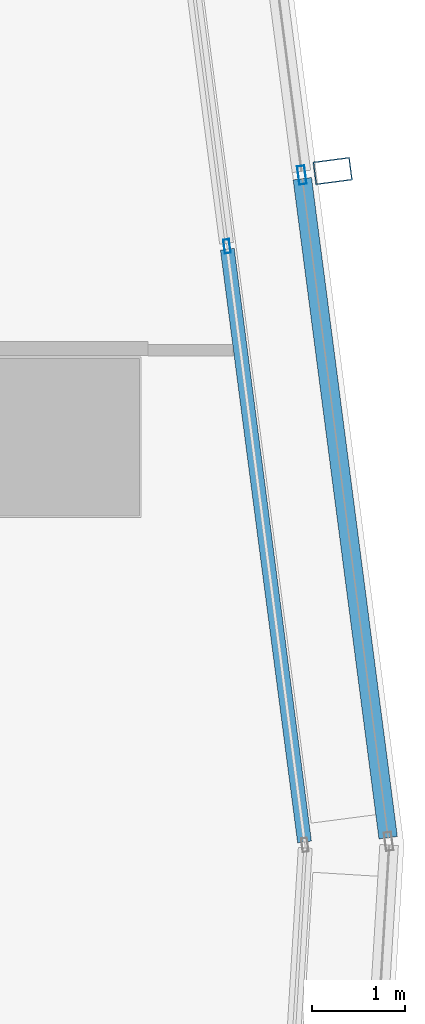
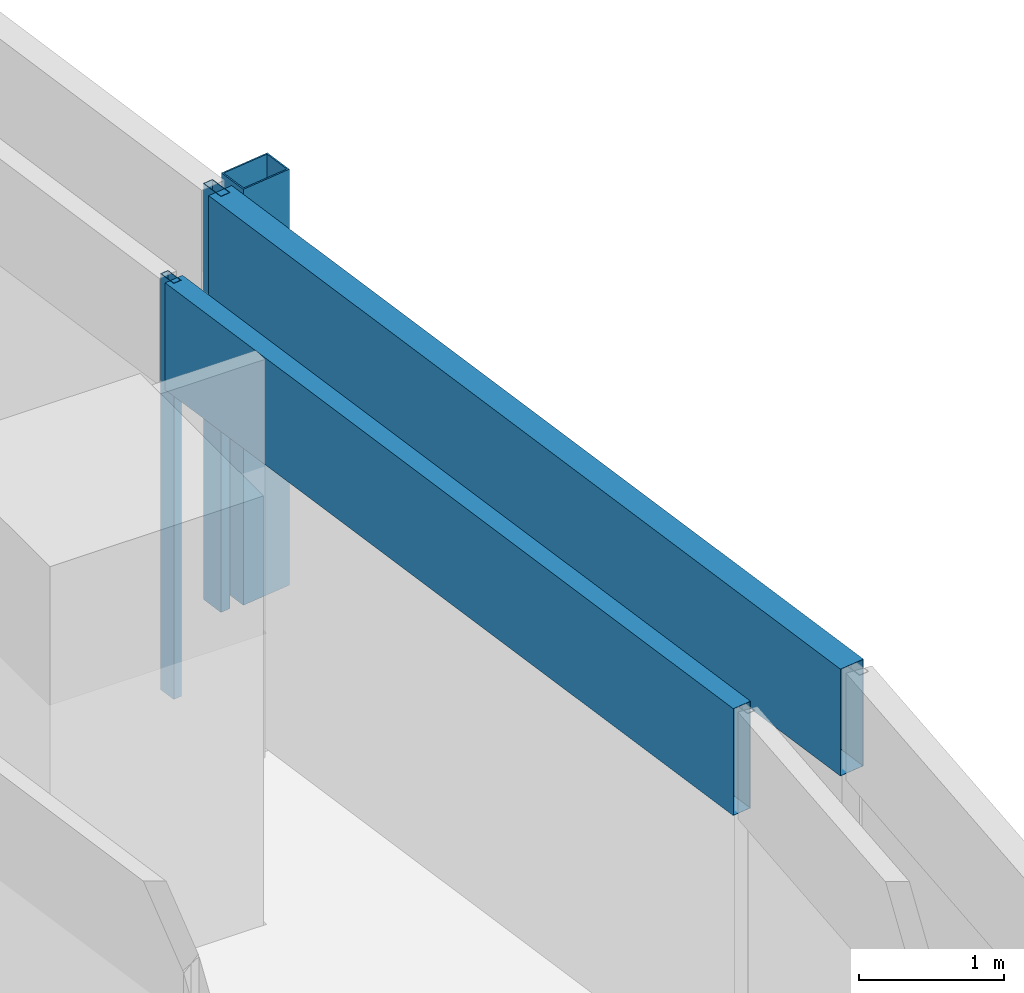
# One storey, part 26 of 40: 5 members, 2 elements without a shape of their own.
"""IFC4 building model written with IfcOpenShell, lengths in metres."""

from ifc_helpers import new_model, si_unit, direction, frame, origin, origin_2d, place, context, subcontext, project, spatial, hollow_rectangle, extrude, material, material_profile, profile_set, type_object, element, aggregate, save


model = new_model("IFC4")

# Units and contexts
model_context = context("Model", 3, precision=1e-05, world=origin(), true_north=direction((0.0, 1.0)))
body_context = subcontext(model_context, "Body", "Model", "MODEL_VIEW")
ifc_project = project(units=[si_unit("LENGTHUNIT", "METRE"), si_unit("AREAUNIT", "SQUARE_METRE"), si_unit("VOLUMEUNIT", "CUBIC_METRE"), si_unit("PLANEANGLEUNIT", "RADIAN"), si_unit("MASSUNIT", "GRAM", prefix="KILO")], contexts=[model_context])

# Site, building, storey
site_placement = place(None, origin())
site = spatial("IfcSite", under=ifc_project, at=site_placement, CompositionType="ELEMENT")
building_placement = place(site_placement, origin())
building = spatial("IfcBuilding", under=site, at=building_placement, Name="Rekha Terrace Tower", CompositionType="ELEMENT")
storey_placement = place(building_placement, frame((0.0, 0.0, 102.800048828125)))
storey = spatial("IfcBuildingStorey", under=building, at=storey_placement, Name="L25", CompositionType="ELEMENT", Elevation=102.800048828125)

# Curtain wall, member
ifc_material_1 = material(Name="Aluminium framing", Category="aluminium")
curtain_wall_type_1 = type_object("IfcCurtainWallType", Name="CW2 double skin outer glazing", PredefinedType="USERDEFINED", material=ifc_material_1)
curtain_wall_1_placement = place(storey_placement, origin())
curtain_wall_1 = element("IfcCurtainWall", 1, at=curtain_wall_1_placement, inside=storey, type_object=curtain_wall_type_1, Name="CW2 double skin outer glazing", ObjectType="DOUBLE SKIN OUTER GLAZING", PredefinedType="USERDEFINED")
ifc_material_2 = material(Name="Steel S355 with fluorocarbon finish", Category="steel")
ifc_material_profile_1 = material_profile(ifc_material_2, hollow_rectangle(XDim=0.25, YDim=0.39990234375, WallThickness=0.012451171875, at=origin_2d()), Name="RHS400x250x12.5")
ifc_profile_set_1 = profile_set([ifc_material_profile_1], Name="Steel S355 with fluorocarbon finish")
member_type_1 = type_object("IfcMemberType", Name="BL1 facade blade RHS 400 x 250", PredefinedType="USERDEFINED", material=ifc_profile_set_1)
member_1_placement = place(storey_placement, frame((70.131103515625, 53.2685546875, 0.0), z_axis=(0.0, 0.0, 1.0), x_axis=(-0.129119247945, 0.991629073702, 0.0)))
member_1 = element("IfcMember", 2, at=member_1_placement, type_object=member_type_1, Name="Facade blade", ObjectType="FACADE BLADE", PredefinedType="USERDEFINED", context=body_context, shape_type="SweptSolid", body=[
    extrude(hollow_rectangle(XDim=0.25, YDim=0.39990234375, WallThickness=0.012451171875, at=origin_2d()), origin(), (0.0, 0.0, 1.0), 3.5),
])

# Curtain wall, members
curtain_wall_type_2 = type_object("IfcCurtainWallType", Name="CW1 double skin inner glazing", PredefinedType="USERDEFINED", material=ifc_material_1)
curtain_wall_2_placement = place(storey_placement, origin())
curtain_wall_2 = element("IfcCurtainWall", 3, at=curtain_wall_2_placement, inside=storey, type_object=curtain_wall_type_2, Name="CW1 double skin inner glazing", ObjectType="DOUBLE SKIN INNER GLAZING", PredefinedType="USERDEFINED")
ifc_material_3 = material(Name="Aluminium mullion section", Category="aluminium")
ifc_material_profile_2 = material_profile(ifc_material_3, hollow_rectangle(XDim=0.06494140625, YDim=0.14990234375, WallThickness=0.00390625, at=origin_2d()), Name="AL RHS 65x150")
ifc_profile_set_2 = profile_set([ifc_material_profile_2], Name="Aluminium mullion section")
member_type_2 = type_object("IfcMemberType", Name="CW1 mullion RHS 65 x 150", PredefinedType="MULLION", material=ifc_profile_set_2)
member_2_placement = place(storey_placement, frame((68.9912109375, 52.45751953125, 0.0), z_axis=(0.0, 0.0, 1.0), x_axis=(-0.991629186237, -0.129118383675, 0.0)))
member_2 = element("IfcMember", 4, at=member_2_placement, type_object=member_type_2, Name="CW1 mullion 2", PredefinedType="MULLION", context=body_context, shape_type="SweptSolid", body=[
    extrude(hollow_rectangle(XDim=0.06494140625, YDim=0.14990234375, WallThickness=0.00390625, at=origin_2d()), origin(), (0.0, 0.0, 1.0), 3.5),
])
ifc_material_4 = material(Name="Insulated aluminium spandrel box", Category="aluminium")
ifc_material_profile_3 = material_profile(ifc_material_4, hollow_rectangle(XDim=0.14990234375, YDim=0.89990234375, WallThickness=0.0029296875, at=origin_2d()), Name="AL SPANDREL BOX 150x900")
ifc_profile_set_3 = profile_set([ifc_material_profile_3], Name="Insulated aluminium spandrel box")
member_type_3 = type_object("IfcMemberType", Name="CW1 spandrel transom 150 x 900", PredefinedType="USERDEFINED", material=ifc_profile_set_3)
member_3_placement = place(storey_placement, frame((69.827392578125, 46.0361328125, 3.050048828125), z_axis=(-0.129135072997, 0.991627013005, 0.0), x_axis=(-0.991627013005, -0.129135072997, 0.0)))
member_3 = element("IfcMember", 5, at=member_3_placement, type_object=member_type_3, Name="CW1 spandrel transom 1", ObjectType="TRANSOM", PredefinedType="USERDEFINED", context=body_context, shape_type="SweptSolid", body=[
    extrude(hollow_rectangle(XDim=0.14990234375, YDim=0.89990234375, WallThickness=0.0029296875, at=origin_2d()), origin(), (0.0, 0.0, 1.0), 6.443115234375),
])
aggregate(curtain_wall_2, [member_2, member_3])

# Member
ifc_material_profile_4 = material_profile(ifc_material_3, hollow_rectangle(XDim=0.080078125, YDim=0.199951171875, WallThickness=0.00390625, at=origin_2d()), Name="AL RHS 80x200")
ifc_profile_set_4 = profile_set([ifc_material_profile_4], Name="Aluminium mullion section")
member_type_4 = type_object("IfcMemberType", Name="CW2 mullion RHS 80 x 200", PredefinedType="MULLION", material=ifc_profile_set_4)
member_4_placement = place(storey_placement, frame((69.798828125, 53.225341796875, 0.0), z_axis=(0.0, 0.0, 1.0), x_axis=(-0.991629186244, -0.129118383623, 0.0)))
member_4 = element("IfcMember", 6, at=member_4_placement, type_object=member_type_4, Name="CW2 mullion 2", PredefinedType="MULLION", context=body_context, shape_type="SweptSolid", body=[
    extrude(hollow_rectangle(XDim=0.080078125, YDim=0.199951171875, WallThickness=0.00390625, at=origin_2d()), origin(), (0.0, 0.0, 1.0), 3.5),
])

ifc_material_profile_5 = material_profile(ifc_material_4, hollow_rectangle(XDim=0.199951171875, YDim=0.89990234375, WallThickness=0.0029296875, at=origin_2d()), Name="AL SPANDREL BOX 200x900")
ifc_profile_set_5 = profile_set([ifc_material_profile_5], Name="Insulated aluminium spandrel box")
member_type_5 = type_object("IfcMemberType", Name="CW2 spandrel transom 200 x 900", PredefinedType="USERDEFINED", material=ifc_profile_set_5)
member_5_placement = place(storey_placement, frame((70.72900390625, 46.081787109375, 3.050048828125), z_axis=(-0.129125015962, 0.991628322635, 0.0), x_axis=(-0.991628322635, -0.129125015962, 0.0)))
member_5 = element("IfcMember", 7, at=member_5_placement, type_object=member_type_5, Name="CW2 spandrel transom 1", ObjectType="TRANSOM", PredefinedType="USERDEFINED", context=body_context, shape_type="SweptSolid", body=[
    extrude(hollow_rectangle(XDim=0.199951171875, YDim=0.89990234375, WallThickness=0.0029296875, at=origin_2d()), origin(), (0.0, 0.0, 1.0), 7.1640625),
])

aggregate(curtain_wall_1, [member_4, member_5, member_1])

save(model, "model.ifc")
